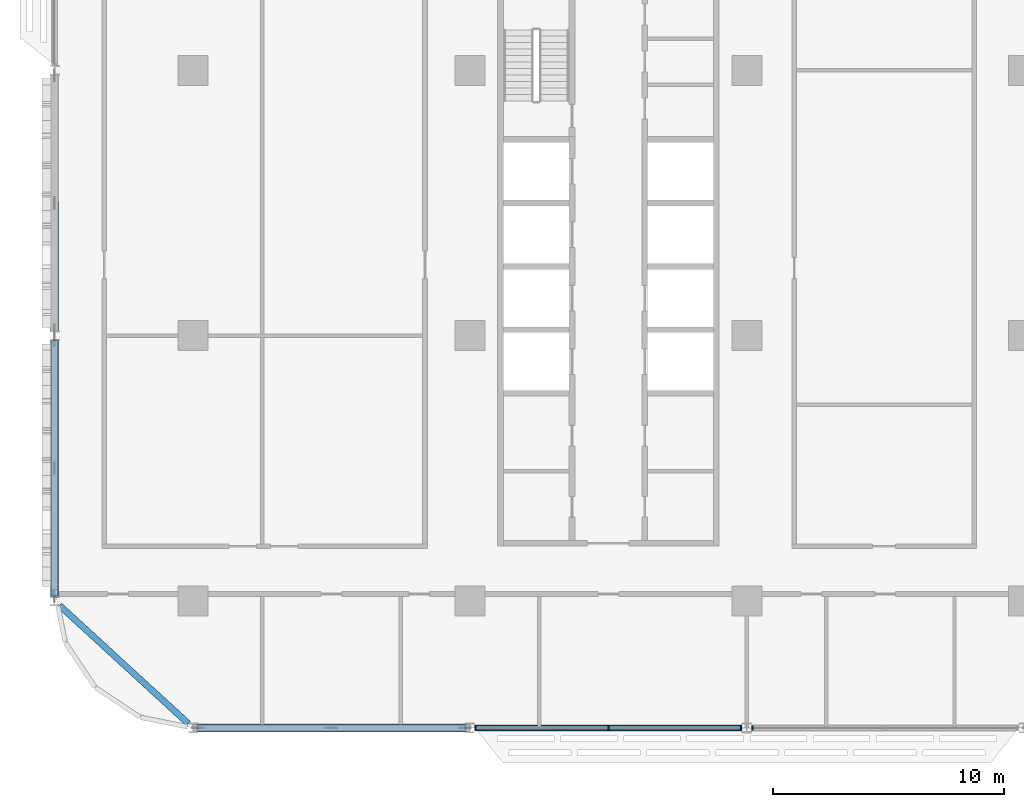
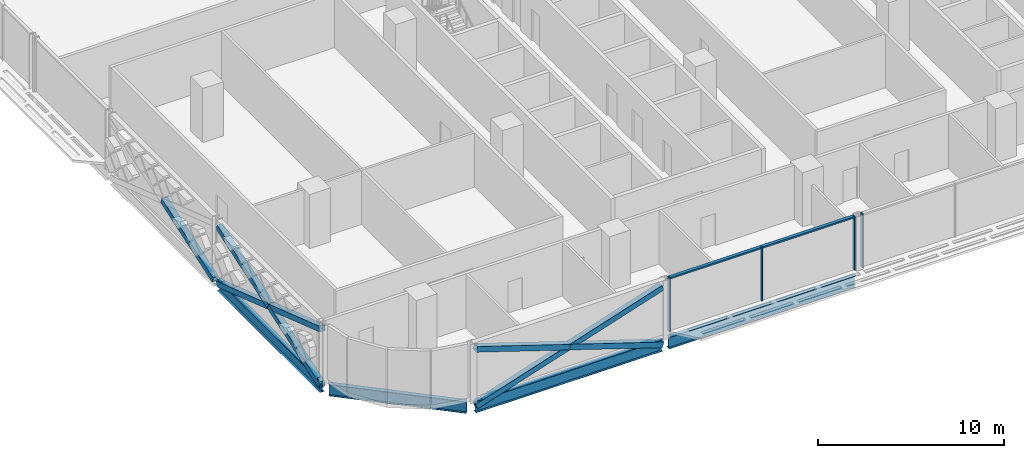
# One storey, part 3 of 29: 13 members, 4 beams, 2 elements without a shape of their own.
"""IFC4 building model written with IfcOpenShell, lengths in metres."""

from ifc_helpers import new_model, si_unit, direction, frame, origin, origin_2d, place, context, subcontext, project, spatial, rectangle, hollow_rectangle, i_section, extrude, material, material_profile, profile_set, type_object, element, aggregate, save


model = new_model("IFC4")

# Units and contexts
model_context = context("Model", 3, precision=1e-05, world=origin(), true_north=direction((0.0, 1.0)))
body_context = subcontext(model_context, "Body", "Model", "MODEL_VIEW")
ifc_project = project(units=[si_unit("LENGTHUNIT", "METRE"), si_unit("AREAUNIT", "SQUARE_METRE"), si_unit("VOLUMEUNIT", "CUBIC_METRE"), si_unit("PLANEANGLEUNIT", "RADIAN"), si_unit("MASSUNIT", "GRAM", prefix="KILO")], contexts=[model_context])

# Site, building, storey
site_placement = place(None, origin())
site = spatial("IfcSite", under=ifc_project, at=site_placement, CompositionType="ELEMENT")
building_placement = place(site_placement, origin())
building = spatial("IfcBuilding", under=site, at=building_placement, Name="Mahtab Terrace Research Tower", CompositionType="ELEMENT")
storey_placement = place(building_placement, frame((0.0, 0.0, 150.699951171875)))
storey = spatial("IfcBuildingStorey", under=building, at=storey_placement, Name="L35", CompositionType="ELEMENT", Elevation=150.699951171875)

# Members
ifc_material_1 = material(Name="Steel ASTM A500 Gr C", Category="steel")
ifc_material_profile_1 = material_profile(ifc_material_1, hollow_rectangle(XDim=0.355712890625, YDim=0.355712890625, WallThickness=0.01904296875, at=origin_2d()), Name="HSS14X14X3/4")
ifc_profile_set_1 = profile_set([ifc_material_profile_1], Name="Steel ASTM A500 Gr C")
member_type_1 = type_object("IfcMemberType", Name="HSS 14x14x3/4 brace XB141434", PredefinedType="BRACE", material=ifc_profile_set_1)
member_1_placement = place(storey_placement, frame((-48.0, 0.217041015625, -0.64501953125), z_axis=(0.0, 0.947273756303, 0.320425390099), x_axis=(-1.0, 0.0, 0.0)))
element("IfcMember", 1, at=member_1_placement, inside=storey, type_object=member_type_1, Name="Exoskeleton brace L35 11 b1", PredefinedType="BRACE", context=body_context, shape_type="SweptSolid", body=[
    extrude(hollow_rectangle(XDim=0.355712890625, YDim=0.355712890625, WallThickness=0.01904296875, at=origin_2d()), origin(), (0.0, 0.0, 1.0), 5.8408203125),
])
member_2_placement = place(storey_placement, frame((-48.0, -0.217041015625, -0.64501953125), z_axis=(0.0, -0.947273756303, 0.320425390099), x_axis=(1.0, 0.0, 0.0)))
element("IfcMember", 2, at=member_2_placement, inside=storey, type_object=member_type_1, Name="Exoskeleton brace L35 12 a", PredefinedType="BRACE", context=body_context, shape_type="SweptSolid", body=[
    extrude(hollow_rectangle(XDim=0.355712890625, YDim=0.355712890625, WallThickness=0.01904296875, at=origin_2d()), origin(), (0.0, 0.0, 1.0), 11.681884765625),
])
for number, where, z_axis, x_axis, name in (
    (3, (-48.0, -11.282958984375, -0.64501953125), (0.0, 0.947273756303, 0.320425390099), (-1.0, 0.0, 0.0), "Exoskeleton brace L35 12 b1"),
    (4, (-48.0, -5.75, 1.2265625), (0.0, 0.947273756303, 0.320425390099), (-1.0, 0.0, 0.0), "Exoskeleton brace L35 12 b2"),
):
    element("IfcMember", number, at=place(storey_placement, frame(where, z_axis=z_axis, x_axis=x_axis)), inside=storey, type_object=member_type_1, Name=name, PredefinedType="BRACE", context=body_context, shape_type="SweptSolid", body=[
        extrude(hollow_rectangle(XDim=0.355712890625, YDim=0.355712890625, WallThickness=0.01904296875, at=origin_2d()), origin(), (0.0, 0.0, 1.0), 5.8408203125),
    ])
member_3_placement = place(storey_placement, frame((-41.794189453125, -17.0, -0.651611328125), z_axis=(0.951266203011, 0.0, 0.308370898448), x_axis=(0.0, 1.0, 0.0)))
element("IfcMember", 5, at=member_3_placement, inside=storey, type_object=member_type_1, Name="Exoskeleton brace L35 14 a", PredefinedType="BRACE", context=body_context, shape_type="SweptSolid", body=[
    extrude(hollow_rectangle(XDim=0.355712890625, YDim=0.355712890625, WallThickness=0.01904296875, at=origin_2d()), origin(), (0.0, 0.0, 1.0), 12.18212890625),
])
for number, where, z_axis, x_axis, name in (
    (6, (-30.205810546875, -17.0, -0.651611328125), (-0.951272081758, 0.0, 0.308352763029), (0.0, -1.0, 0.0), "Exoskeleton brace L35 14 b1"),
    (7, (-36.0, -17.0, 1.2265625), (-0.95126032399, 0.0, 0.308389033531), (0.0, -1.0, 0.0), "Exoskeleton brace L35 14 b2"),
):
    element("IfcMember", number, at=place(storey_placement, frame(where, z_axis=z_axis, x_axis=x_axis)), inside=storey, type_object=member_type_1, Name=name, PredefinedType="BRACE", context=body_context, shape_type="SweptSolid", body=[
        extrude(hollow_rectangle(XDim=0.355712890625, YDim=0.355712890625, WallThickness=0.01904296875, at=origin_2d()), origin(), (0.0, 0.0, 1.0), 6.091064453125),
    ])

# Curtain wall, members
ifc_material_2 = material(Name="Laboratory ribbon curtain wall")
curtain_wall_type = type_object("IfcCurtainWallType", Name="Laboratory ribbon curtain wall", PredefinedType="NOTDEFINED", material=ifc_material_2)
curtain_wall_1_placement = place(storey_placement, origin())
curtain_wall_1 = element("IfcCurtainWall", 8, at=curtain_wall_1_placement, inside=storey, type_object=curtain_wall_type, Name="EN.L35.13.25", PredefinedType="NOTDEFINED")
ifc_material_3 = material(Name="Natural anodised aluminium", Category="aluminium")
ifc_material_profile_2 = material_profile(ifc_material_3, rectangle(XDim=0.199951171875, YDim=0.06494140625, at=origin_2d()), Name="MULLION 65x200")
ifc_profile_set_2 = profile_set([ifc_material_profile_2], Name="Natural anodised aluminium")
member_type_2 = type_object("IfcMemberType", Name="Laboratory ribbon curtain wall mullion", PredefinedType="MULLION", material=ifc_profile_set_2)
member_4_placement = place(storey_placement, frame((-29.74951171875, -17.0, 0.0), z_axis=(0.0, 0.0, 1.0), x_axis=(0.0, 1.0, 0.0)))
member_4 = element("IfcMember", 9, at=member_4_placement, type_object=member_type_2, Name="CWL-4 mullion 1", PredefinedType="MULLION", context=body_context, shape_type="SweptSolid", body=[
    extrude(rectangle(XDim=0.199951171875, YDim=0.06494140625, at=origin_2d()), origin(), (0.0, 0.0, 1.0), 3.550048828125),
])
member_5_placement = place(storey_placement, frame((-24.0, -17.0, 0.0), z_axis=(0.0, 0.0, 1.0), x_axis=(0.0, 1.0, 0.0)))
member_5 = element("IfcMember", 10, at=member_5_placement, type_object=member_type_2, Name="CWL-4 mullion 2", PredefinedType="MULLION", context=body_context, shape_type="SweptSolid", body=[
    extrude(rectangle(XDim=0.199951171875, YDim=0.06494140625, at=origin_2d()), origin(), (0.0, 0.0, 1.0), 3.550048828125),
])
member_6_placement = place(storey_placement, frame((-18.25048828125, -17.0, 0.0), z_axis=(0.0, 0.0, 1.0), x_axis=(0.0, 1.0, 0.0)))
member_6 = element("IfcMember", 11, at=member_6_placement, type_object=member_type_2, Name="CWL-4 mullion 3", PredefinedType="MULLION", context=body_context, shape_type="SweptSolid", body=[
    extrude(rectangle(XDim=0.199951171875, YDim=0.06494140625, at=origin_2d()), origin(), (0.0, 0.0, 1.0), 3.550048828125),
])

# Curtain wall, member
curtain_wall_2_placement = place(storey_placement, origin())
curtain_wall_2 = element("IfcCurtainWall", 12, at=curtain_wall_2_placement, inside=storey, type_object=curtain_wall_type, Name="EN.L35.13.26", PredefinedType="NOTDEFINED")
member_7_placement = place(storey_placement, frame((-17.74951171875, -17.0, 0.0), z_axis=(0.0, 0.0, 1.0), x_axis=(0.0, 1.0, 0.0)))
member_7 = element("IfcMember", 13, at=member_7_placement, type_object=member_type_2, Name="CWL-4 mullion 1", PredefinedType="MULLION", context=body_context, shape_type="SweptSolid", body=[
    extrude(rectangle(XDim=0.199951171875, YDim=0.06494140625, at=origin_2d()), origin(), (0.0, 0.0, 1.0), 3.550048828125),
])
aggregate(curtain_wall_2, [member_7])

# Member
ifc_material_profile_3 = material_profile(ifc_material_3, rectangle(XDim=0.199951171875, YDim=0.10009765625, at=origin_2d()), Name="TRANSOM 100x200")
ifc_profile_set_3 = profile_set([ifc_material_profile_3], Name="Natural anodised aluminium")
member_type_3 = type_object("IfcMemberType", Name="Laboratory ribbon curtain wall transom", PredefinedType="USERDEFINED", material=ifc_profile_set_3)
member_8_placement = place(storey_placement, frame((-29.717041015625, -17.0, 3.5), z_axis=(1.0, 0.0, 0.0), x_axis=(0.0, 1.0, 0.0)))
member_8 = element("IfcMember", 14, at=member_8_placement, type_object=member_type_3, Name="CWL-4 transom 1", ObjectType="TRANSOM", PredefinedType="USERDEFINED", context=body_context, shape_type="SweptSolid", body=[
    extrude(rectangle(XDim=0.199951171875, YDim=0.10009765625, at=origin_2d()), origin(), (0.0, 0.0, 1.0), 5.6845703125),
])

member_9_placement = place(storey_placement, frame((-23.967529296875, -17.0, 3.5), z_axis=(1.0, 0.0, 0.0), x_axis=(0.0, 1.0, 0.0)))
member_9 = element("IfcMember", 15, at=member_9_placement, type_object=member_type_3, Name="CWL-4 transom 2", ObjectType="TRANSOM", PredefinedType="USERDEFINED", context=body_context, shape_type="SweptSolid", body=[
    extrude(rectangle(XDim=0.199951171875, YDim=0.10009765625, at=origin_2d()), origin(), (0.0, 0.0, 1.0), 5.6845703125),
])

aggregate(curtain_wall_1, [member_4, member_5, member_6, member_8, member_9])

# Beams
ifc_material_4 = material(Name="Steel ASTM A992 Gr 50", Category="steel")
ifc_material_profile_4 = material_profile(ifc_material_4, i_section(OverallWidth=0.2666015625, OverallDepth=0.7568359375, WebThickness=0.013916015625, FlangeThickness=0.019287109375, at=origin_2d()), Name="W30X108")
ifc_profile_set_4 = profile_set([ifc_material_profile_4], Name="Steel ASTM A992 Gr 50")
beam_type = type_object("IfcBeamType", Name="W30x108 beam BS30108", PredefinedType="BEAM", material=ifc_profile_set_4)
beam_1_placement = place(storey_placement, frame((-48.0, -0.217041015625, -0.718505859375), z_axis=(0.0, -1.0, 0.0), x_axis=(1.0, 0.0, 0.0)))
element("IfcBeam", 16, at=beam_1_placement, inside=storey, type_object=beam_type, Name="Spandrel beam L35 12", PredefinedType="BEAM", context=body_context, shape_type="SweptSolid", body=[
    extrude(i_section(OverallWidth=0.2666015625, OverallDepth=0.7568359375, WebThickness=0.013916015625, FlangeThickness=0.019287109375, at=origin_2d()), origin(), (0.0, 0.0, 1.0), 11.06591796875),
])
beam_2_placement = place(storey_placement, frame((-47.794189453125, -11.688720703125, -0.718505859375), z_axis=(0.737162160905, -0.675715878554, 0.0), x_axis=(0.675715878554, 0.737162160905, 0.0)))
element("IfcBeam", 17, at=beam_2_placement, inside=storey, type_object=beam_type, Name="Spandrel beam L35 13", PredefinedType="BEAM", context=body_context, shape_type="SweptSolid", body=[
    extrude(i_section(OverallWidth=0.2666015625, OverallDepth=0.7568359375, WebThickness=0.013916015625, FlangeThickness=0.019287109375, at=origin_2d()), origin(), (0.0, 0.0, 1.0), 7.5810546875),
])
for number, where, z_axis, x_axis, name in (
    (18, (-41.794189453125, -17.0, -0.718505859375), (1.0, 0.0, 0.0), (0.0, 1.0, 0.0), "Spandrel beam L35 14"),
    (19, (-29.794189453125, -17.0, -0.718505859375), (1.0, 0.0, 0.0), (0.0, 1.0, 0.0), "Spandrel beam L35 15"),
):
    element("IfcBeam", number, at=place(storey_placement, frame(where, z_axis=z_axis, x_axis=x_axis)), inside=storey, type_object=beam_type, Name=name, PredefinedType="BEAM", context=body_context, shape_type="SweptSolid", body=[
        extrude(i_section(OverallWidth=0.2666015625, OverallDepth=0.7568359375, WebThickness=0.013916015625, FlangeThickness=0.019287109375, at=origin_2d()), origin(), (0.0, 0.0, 1.0), 11.58837890625),
    ])

save(model, "model.ifc")
